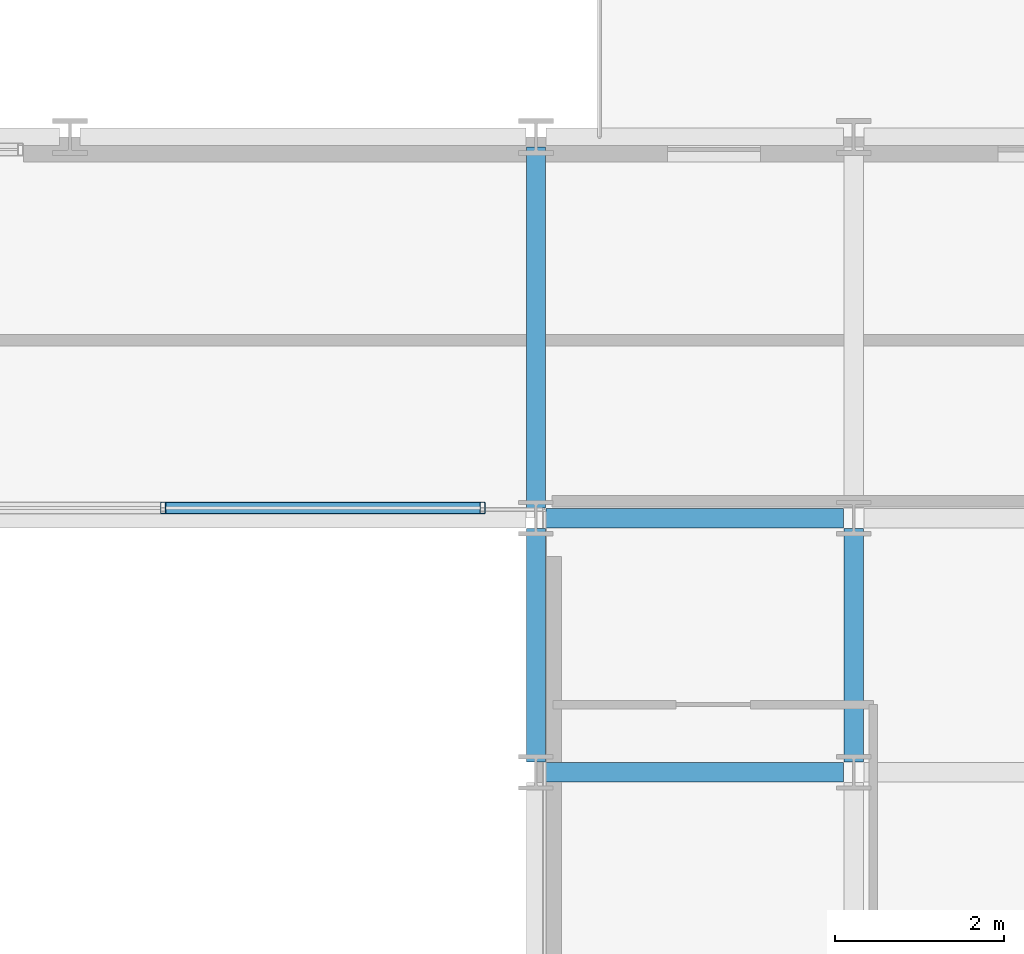
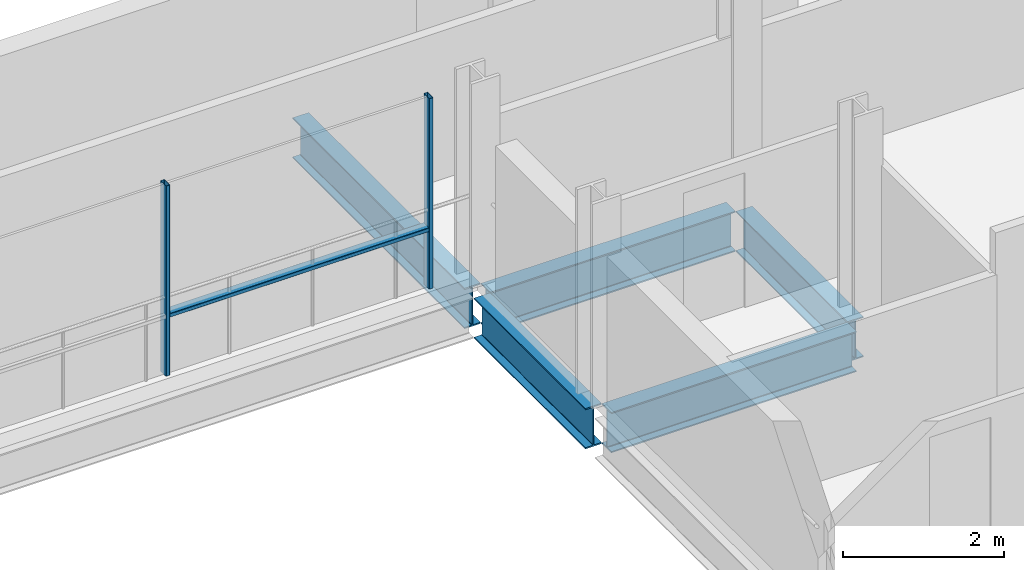
# One storey, part 17 of 40: 5 beams, 3 members, 1 element without a shape of its own.
"""IFC4 building model written with IfcOpenShell, lengths in metres."""

from ifc_helpers import new_model, si_unit, direction, frame, origin, origin_2d, place, context, subcontext, project, spatial, hollow_rectangle, i_section, extrude, material, layer, layer_set, material_profile, profile_set, type_object, element, aggregate, save


model = new_model("IFC4")

# Units and contexts
model_context = context("Model", 3, precision=1e-05, world=origin(), true_north=direction((0.0, 1.0)))
body_context = subcontext(model_context, "Body", "Model", "MODEL_VIEW")
ifc_project = project(units=[si_unit("LENGTHUNIT", "METRE"), si_unit("AREAUNIT", "SQUARE_METRE"), si_unit("VOLUMEUNIT", "CUBIC_METRE"), si_unit("PLANEANGLEUNIT", "RADIAN"), si_unit("MASSUNIT", "GRAM", prefix="KILO")], contexts=[model_context])

# Site, building, storey
site_placement = place(None, origin())
site = spatial("IfcSite", under=ifc_project, at=site_placement, CompositionType="ELEMENT")
building_placement = place(site_placement, origin())
building = spatial("IfcBuilding", under=site, at=building_placement, Name="Brevholm Reach", CompositionType="ELEMENT")
storey_placement = place(building_placement, frame((0.0, 0.0, 125.199951171875)))
storey = spatial("IfcBuildingStorey", under=building, at=storey_placement, Name="L37", CompositionType="ELEMENT", Elevation=125.199951171875)

# Beams
ifc_material_1 = material(Name="Structural Steel S355J2", Category="steel")
ifc_material_profile_1 = material_profile(ifc_material_1, i_section(OverallWidth=0.22900390625, OverallDepth=0.6123046875, WebThickness=0.011962890625, FlangeThickness=0.01953125, FilletRadius=0.0126953125, at=origin_2d()), Name="UKB 610x229x125")
ifc_profile_set_1 = profile_set([ifc_material_profile_1], Name="Structural Steel S355J2")
beam_type = type_object("IfcBeamType", Name="BM-SP610", PredefinedType="SPANDREL", material=ifc_profile_set_1)
for number, where, z_axis, x_axis, name in (
    (1, (38.3701171875, 23.5, -0.526123046875), (1.0, 0.0, 0.0), (0.0, 1.0, 0.0), "L37 SP-01 Framing Beam"),
    (2, (38.3701171875, 26.5, -0.526123046875), (1.0, 0.0, 0.0), (0.0, 1.0, 0.0), "L37 SP-01 Framing Beam"),
):
    element("IfcBeam", number, at=place(storey_placement, frame(where, z_axis=z_axis, x_axis=x_axis)), inside=storey, type_object=beam_type, Name=name, PredefinedType="SPANDREL", context=body_context, shape_type="SweptSolid", body=[
        extrude(i_section(OverallWidth=0.22900390625, OverallDepth=0.6123046875, WebThickness=0.011962890625, FlangeThickness=0.01953125, FilletRadius=0.0126953125, at=origin_2d()), origin(), (0.0, 0.0, 1.0), 3.509765625),
    ])
beam_1_placement = place(storey_placement, frame((38.25, 23.6201171875, -0.526123046875), z_axis=(0.0, 1.0, 0.0), x_axis=(-1.0, 0.0, 0.0)))
element("IfcBeam", 3, at=beam_1_placement, inside=storey, type_object=beam_type, Name="L37 SP-01 Framing Beam", PredefinedType="SPANDREL", context=body_context, shape_type="SweptSolid", body=[
    extrude(i_section(OverallWidth=0.22900390625, OverallDepth=0.6123046875, WebThickness=0.011962890625, FlangeThickness=0.01953125, FilletRadius=0.0126953125, at=origin_2d()), origin(), (0.0, 0.0, 1.0), 2.759765625),
])
beam_2_placement = place(storey_placement, frame((38.25, 26.6201171875, -0.526123046875), z_axis=(0.0, 1.0, 0.0), x_axis=(-1.0, 0.0, 0.0)))
element("IfcBeam", 4, at=beam_2_placement, inside=storey, type_object=beam_type, Name="L37 SP-01 Framing Beam", PredefinedType="SPANDREL", context=body_context, shape_type="SweptSolid", body=[
    extrude(i_section(OverallWidth=0.22900390625, OverallDepth=0.6123046875, WebThickness=0.011962890625, FlangeThickness=0.01953125, FilletRadius=0.0126953125, at=origin_2d()), origin(), (0.0, 0.0, 1.0), 4.259765625),
])
beam_3_placement = place(storey_placement, frame((42.0, 23.6201171875, -0.526123046875), z_axis=(0.0, 1.0, 0.0), x_axis=(-1.0, 0.0, 0.0)))
element("IfcBeam", 5, at=beam_3_placement, inside=storey, type_object=beam_type, Name="L37 SP-01 Framing Beam", PredefinedType="SPANDREL", context=body_context, shape_type="SweptSolid", body=[
    extrude(i_section(OverallWidth=0.22900390625, OverallDepth=0.6123046875, WebThickness=0.011962890625, FlangeThickness=0.01953125, FilletRadius=0.0126953125, at=origin_2d()), origin(), (0.0, 0.0, 1.0), 2.759765625),
])

# Curtain wall, members
ifc_material_2 = material(Name="Dark Anodised Aluminium 6063-T6 and Solar-Control Glass", Category="aluminium")
ifc_layer = layer(ifc_material_2, 0.139892578125)
ifc_layer_set = layer_set([ifc_layer], Name="Dark Anodised Aluminium 6063-T6 and Solar-Control Glass")
curtain_wall_type = type_object("IfcCurtainWallType", Name="CW-02", PredefinedType="NOTDEFINED", material=ifc_layer_set)
curtain_wall_placement = place(storey_placement, origin())
curtain_wall = element("IfcCurtainWall", 6, at=curtain_wall_placement, inside=storey, type_object=curtain_wall_type, Name="L37 Curtain Wall CW-02", PredefinedType="NOTDEFINED")
ifc_material_3 = material(Name="Dark Anodised Aluminium 6063-T6", Category="aluminium")
ifc_material_profile_2 = material_profile(ifc_material_3, hollow_rectangle(XDim=0.06005859375, YDim=0.139892578125, WallThickness=0.0048828125, InnerFilletRadius=0.0048828125, OuterFilletRadius=0.010009765625, at=origin_2d()), Name="RHS 140x60x5")
ifc_profile_set_2 = profile_set([ifc_material_profile_2], Name="Dark Anodised Aluminium 6063-T6")
member_type_1 = type_object("IfcMemberType", Name="CWM-140", PredefinedType="MULLION", material=ifc_profile_set_2)
member_1_placement = place(storey_placement, frame((37.6201171875, 26.6201171875, 0.0), z_axis=(0.0, 0.0, 1.0), x_axis=(-1.0, 0.0, 0.0)))
member_1 = element("IfcMember", 7, at=member_1_placement, type_object=member_type_1, Name="CM-140 Mullion 1", PredefinedType="MULLION", context=body_context, shape_type="SweptSolid", body=[
    extrude(hollow_rectangle(XDim=0.06005859375, YDim=0.139892578125, WallThickness=0.0048828125, InnerFilletRadius=0.0048828125, OuterFilletRadius=0.010009765625, at=origin_2d()), origin(), (0.0, 0.0, 1.0), 2.880126953125),
])
member_2_placement = place(storey_placement, frame((33.85009765625, 26.6201171875, 0.0), z_axis=(0.0, 0.0, 1.0), x_axis=(-1.0, 0.0, 0.0)))
member_2 = element("IfcMember", 8, at=member_2_placement, type_object=member_type_1, Name="CM-140 Mullion 2", PredefinedType="MULLION", context=body_context, shape_type="SweptSolid", body=[
    extrude(hollow_rectangle(XDim=0.06005859375, YDim=0.139892578125, WallThickness=0.0048828125, InnerFilletRadius=0.0048828125, OuterFilletRadius=0.010009765625, at=origin_2d()), origin(), (0.0, 0.0, 1.0), 2.880126953125),
])
ifc_material_4 = material(Name="Dark Anodised Aluminium 6063-T6", Category="aluminium")
ifc_material_profile_3 = material_profile(ifc_material_4, hollow_rectangle(XDim=0.06005859375, YDim=0.139892578125, WallThickness=0.0048828125, InnerFilletRadius=0.0048828125, OuterFilletRadius=0.010009765625, at=origin_2d()), Name="RHS 140x60x5")
ifc_profile_set_3 = profile_set([ifc_material_profile_3], Name="Dark Anodised Aluminium 6063-T6")
member_type_2 = type_object("IfcMemberType", Name="CWT-140", PredefinedType="NOTDEFINED", material=ifc_profile_set_3)
member_3_placement = place(storey_placement, frame((37.590087890625, 26.6201171875, 0.900146484375), z_axis=(-1.0, 0.0, 0.0), x_axis=(0.0, 0.0, 1.0)))
member_3 = element("IfcMember", 9, at=member_3_placement, type_object=member_type_2, Name="CT-140 Transom 1.1", ObjectType="TRANSOM", PredefinedType="USERDEFINED", context=body_context, shape_type="SweptSolid", body=[
    extrude(hollow_rectangle(XDim=0.06005859375, YDim=0.139892578125, WallThickness=0.0048828125, InnerFilletRadius=0.0048828125, OuterFilletRadius=0.010009765625, at=origin_2d()), origin(), (0.0, 0.0, 1.0), 3.710205078125),
])
aggregate(curtain_wall, [member_1, member_2, member_3])

save(model, "model.ifc")
